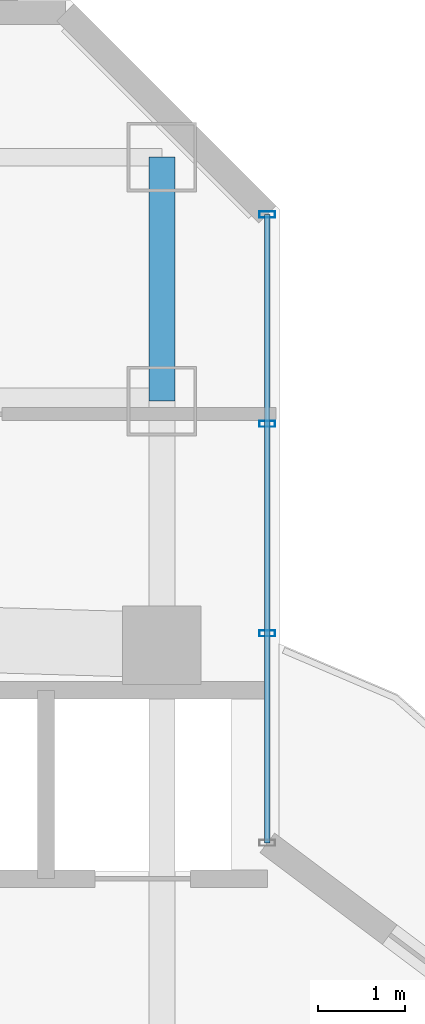
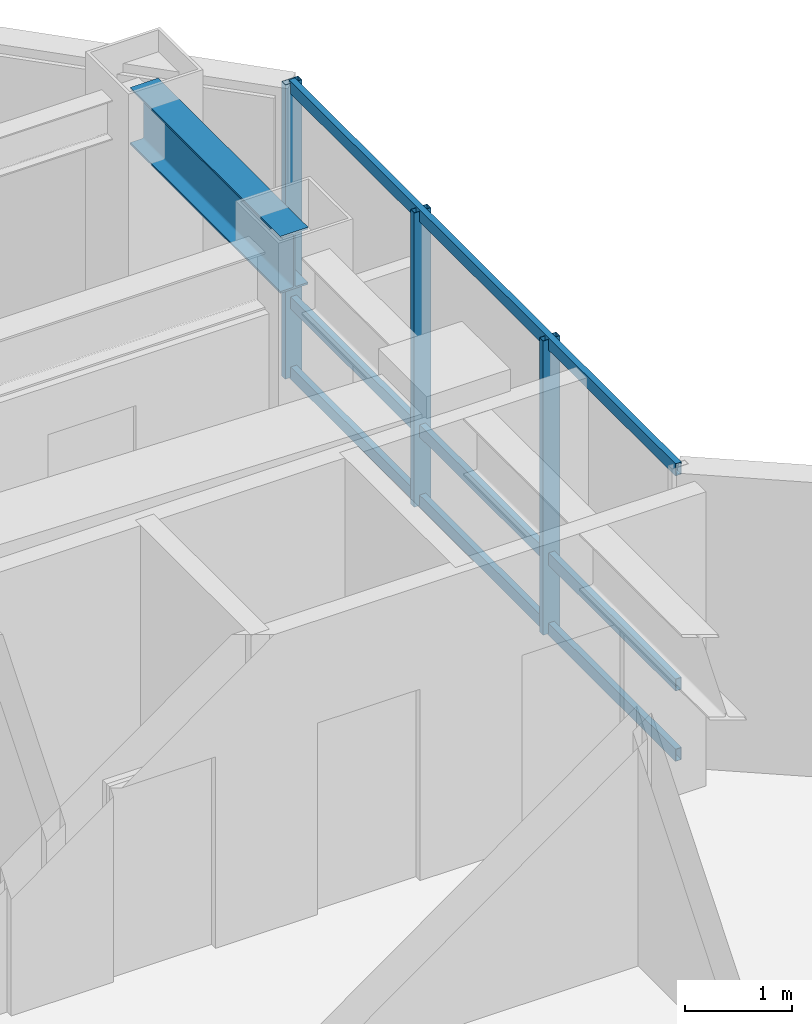
# One storey, part 19 of 27: 6 members, 1 beam, 1 element without a shape of its own.
"""IFC4 building model written with IfcOpenShell, lengths in metres."""

from ifc_helpers import new_model, si_unit, direction, frame, origin, origin_2d, place, context, subcontext, project, spatial, hollow_rectangle, i_section, extrude, material, layer, layer_set, material_profile, profile_set, type_object, element, aggregate, save


model = new_model("IFC4")

# Units and contexts
model_context = context("Model", 3, precision=1e-05, world=origin(), true_north=direction((0.0, 1.0)))
body_context = subcontext(model_context, "Body", "Model", "MODEL_VIEW")
ifc_project = project(units=[si_unit("LENGTHUNIT", "METRE"), si_unit("AREAUNIT", "SQUARE_METRE"), si_unit("VOLUMEUNIT", "CUBIC_METRE"), si_unit("PLANEANGLEUNIT", "RADIAN"), si_unit("MASSUNIT", "GRAM", prefix="KILO")], contexts=[model_context])

# Site, building, storey
site_placement = place(None, origin())
site = spatial("IfcSite", under=ifc_project, at=site_placement, CompositionType="ELEMENT")
building_placement = place(site_placement, origin())
building = spatial("IfcBuilding", under=site, at=building_placement, Name="Hatsunagi Terrace Concourse", CompositionType="ELEMENT")
storey_placement = place(building_placement, frame((0.0, 0.0, 167.25)))
storey = spatial("IfcBuildingStorey", under=building, at=storey_placement, Name="L44", CompositionType="ELEMENT", Elevation=167.25)

# Curtain wall, members
ifc_material_1 = material(Name="Anodised Aluminium Alloy 6063-T5", Category="aluminium")
ifc_layer = layer(ifc_material_1, 0.199951171875)
ifc_layer_set = layer_set([ifc_layer], Name="OfficeZone1_CW03")
curtain_wall_type = type_object("IfcCurtainWallType", Name="OfficeZone1_CW03", PredefinedType="NOTDEFINED", material=ifc_layer_set)
curtain_wall_placement = place(storey_placement, origin())
curtain_wall = element("IfcCurtainWall", 1, at=curtain_wall_placement, inside=storey, type_object=curtain_wall_type, Name="Unitised Curtain Wall CW-03 CW-L44-13", PredefinedType="NOTDEFINED")
ifc_material_2 = material(Name="Anodised Aluminium Alloy 6063-T5", Category="aluminium")
ifc_material_profile_1 = material_profile(ifc_material_2, hollow_rectangle(XDim=0.070068359375, YDim=0.179931640625, WallThickness=0.00390625, at=origin_2d()), Name="ALU-MUL-180x70x4")
ifc_profile_set_1 = profile_set([ifc_material_profile_1], Name="Anodised Aluminium Alloy 6063-T5")
member_type_1 = type_object("IfcMemberType", Name="CurtainWallMullion_180x70", PredefinedType="MULLION", material=ifc_profile_set_1)
member_1_placement = place(storey_placement, frame((44.860107421875, 47.94189453125, 0.0), z_axis=(0.0, 0.0, 1.0), x_axis=(0.0, -1.0, 0.0)))
member_1 = element("IfcMember", 2, at=member_1_placement, type_object=member_type_1, Name="Curtain Wall Mullion MUL-02", PredefinedType="MULLION", context=body_context, shape_type="SweptSolid", body=[
    extrude(hollow_rectangle(XDim=0.070068359375, YDim=0.179931640625, WallThickness=0.00390625, at=origin_2d()), origin(), (0.0, 0.0, 1.0), 3.35009765625),
])
member_2_placement = place(storey_placement, frame((44.860107421875, 45.5380859375, 0.0), z_axis=(0.0, 0.0, 1.0), x_axis=(0.0, -1.0, 0.0)))
member_2 = element("IfcMember", 3, at=member_2_placement, type_object=member_type_1, Name="Curtain Wall Mullion MUL-02", PredefinedType="MULLION", context=body_context, shape_type="SweptSolid", body=[
    extrude(hollow_rectangle(XDim=0.070068359375, YDim=0.179931640625, WallThickness=0.00390625, at=origin_2d()), origin(), (0.0, 0.0, 1.0), 3.35009765625),
])
member_3_placement = place(storey_placement, frame((44.860107421875, 43.134033203125, 0.0), z_axis=(0.0, 0.0, 1.0), x_axis=(0.0, -1.0, 0.0)))
member_3 = element("IfcMember", 4, at=member_3_placement, type_object=member_type_1, Name="Curtain Wall Mullion MUL-02", PredefinedType="MULLION", context=body_context, shape_type="SweptSolid", body=[
    extrude(hollow_rectangle(XDim=0.070068359375, YDim=0.179931640625, WallThickness=0.00390625, at=origin_2d()), origin(), (0.0, 0.0, 1.0), 3.35009765625),
])
ifc_material_3 = material(Name="Anodised Aluminium Alloy 6063-T5", Category="aluminium")
ifc_material_profile_2 = material_profile(ifc_material_3, hollow_rectangle(XDim=0.06494140625, YDim=0.139892578125, WallThickness=0.00390625, at=origin_2d()), Name="ALU-TRN-140x65x4")
ifc_profile_set_2 = profile_set([ifc_material_profile_2], Name="Anodised Aluminium Alloy 6063-T5")
member_type_2 = type_object("IfcMemberType", Name="CurtainWallTransom_140x65", PredefinedType="USERDEFINED", material=ifc_profile_set_2)
member_4_placement = place(storey_placement, frame((44.860107421875, 47.94189453125, 0.050048828125), z_axis=(0.0, -1.0, 0.0), x_axis=(1.0, 0.0, 0.0)))
member_4 = element("IfcMember", 5, at=member_4_placement, type_object=member_type_2, Name="Curtain Wall Transom TRN-02", ObjectType="TRANSOM", PredefinedType="USERDEFINED", context=body_context, shape_type="SweptSolid", body=[
    extrude(hollow_rectangle(XDim=0.06494140625, YDim=0.139892578125, WallThickness=0.00390625, at=origin_2d()), origin(), (0.0, 0.0, 1.0), 7.2119140625),
])
member_5_placement = place(storey_placement, frame((44.860107421875, 47.94189453125, 0.85009765625), z_axis=(0.0, -1.0, 0.0), x_axis=(1.0, 0.0, 0.0)))
member_5 = element("IfcMember", 6, at=member_5_placement, type_object=member_type_2, Name="Curtain Wall Transom TRN-02", ObjectType="TRANSOM", PredefinedType="USERDEFINED", context=body_context, shape_type="SweptSolid", body=[
    extrude(hollow_rectangle(XDim=0.06494140625, YDim=0.139892578125, WallThickness=0.00390625, at=origin_2d()), origin(), (0.0, 0.0, 1.0), 7.2119140625),
])
member_6_placement = place(storey_placement, frame((44.860107421875, 47.94189453125, 3.300048828125), z_axis=(0.0, -1.0, 0.0), x_axis=(1.0, 0.0, 0.0)))
member_6 = element("IfcMember", 7, at=member_6_placement, type_object=member_type_2, Name="Curtain Wall Transom TRN-02", ObjectType="TRANSOM", PredefinedType="USERDEFINED", context=body_context, shape_type="SweptSolid", body=[
    extrude(hollow_rectangle(XDim=0.06494140625, YDim=0.139892578125, WallThickness=0.00390625, at=origin_2d()), origin(), (0.0, 0.0, 1.0), 7.2119140625),
])
aggregate(curtain_wall, [member_1, member_2, member_3, member_4, member_5, member_6])

# Beam
ifc_material_4 = material(Name="Steel SN490B", Category="steel")
ifc_material_profile_3 = material_profile(ifc_material_4, i_section(OverallWidth=0.300048828125, OverallDepth=0.64990234375, WebThickness=0.012939453125, FlangeThickness=0.02197265625, FilletRadius=0.01806640625, at=origin_2d()), Name="H-650x300x13x22")
ifc_profile_set_3 = profile_set([ifc_material_profile_3], Name="Steel SN490B")
beam_type = type_object("IfcBeamType", Name="OfficeLowGirder_H_650x300", PredefinedType="BEAM", material=ifc_profile_set_3)
beam_placement = place(storey_placement, frame((43.64990234375, 45.800048828125, 3.02490234375), z_axis=(0.0, 1.0, 0.0), x_axis=(-1.0, 0.0, 0.0)))
element("IfcBeam", 8, at=beam_placement, inside=storey, type_object=beam_type, Name="Beam G-05 BM-L44-KN-WN6", PredefinedType="BEAM", context=body_context, shape_type="SweptSolid", body=[
    extrude(i_section(OverallWidth=0.300048828125, OverallDepth=0.64990234375, WebThickness=0.012939453125, FlangeThickness=0.02197265625, FilletRadius=0.01806640625, at=origin_2d()), origin(), (0.0, 0.0, 1.0), 2.800048828125),
])

save(model, "model.ifc")
